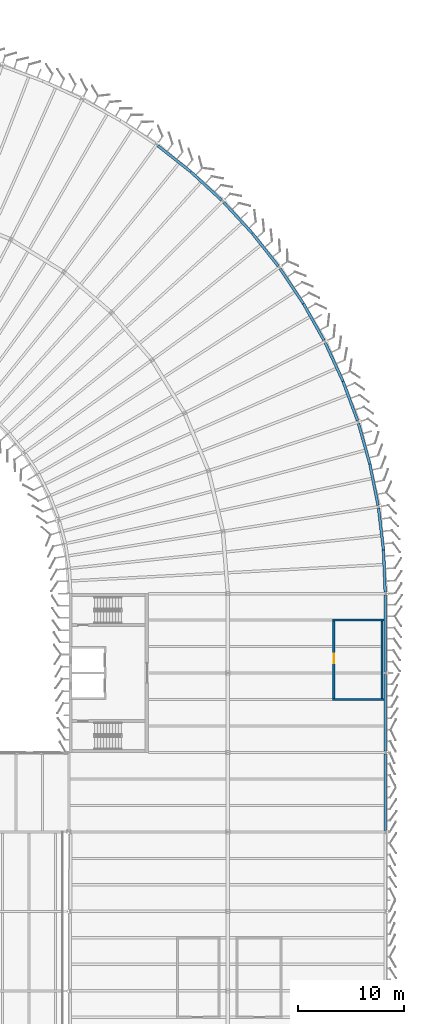
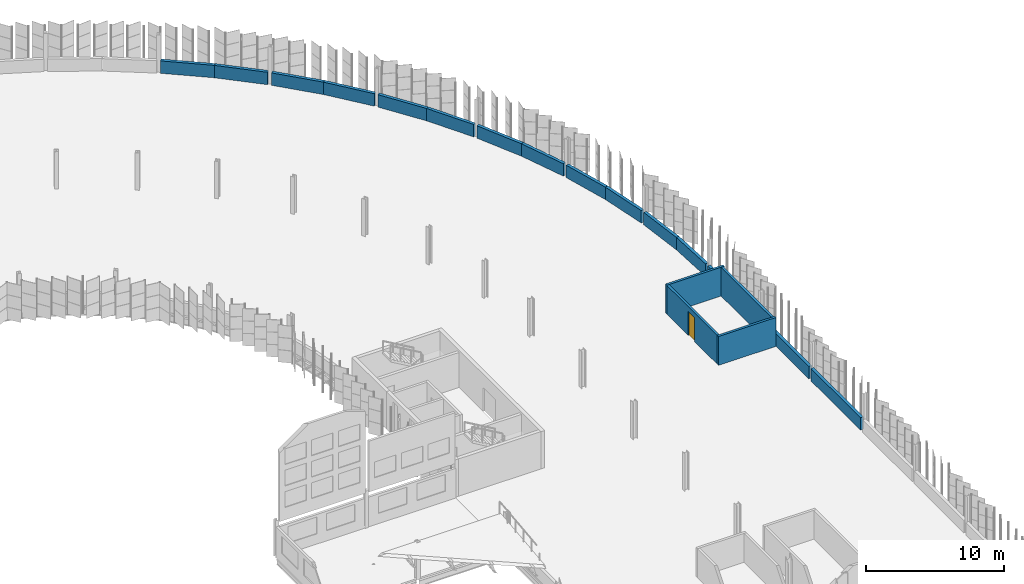
# One storey, part 64 of 199: 19 walls, 1 door, 1 opening.
"""IFC4 building model written with IfcOpenShell, lengths in metres."""

from ifc_helpers import new_model, si_unit, direction, frame, frame_2d, origin, place, context, subcontext, project, spatial, rectangle, extrude, material, layer, layer_set, type_object, element, fill, save


model = new_model("IFC4")

# Units and contexts
model_context = context("Model", 3, precision=1e-05, world=origin(), true_north=direction((0.0, 1.0)))
body_context = subcontext(model_context, "Body", "Model", "MODEL_VIEW")
ifc_project = project(units=[si_unit("LENGTHUNIT", "METRE"), si_unit("AREAUNIT", "SQUARE_METRE"), si_unit("VOLUMEUNIT", "CUBIC_METRE"), si_unit("PLANEANGLEUNIT", "RADIAN"), si_unit("MASSUNIT", "GRAM", prefix="KILO")], contexts=[model_context])

# Site, building, storey
site_placement = place(None, origin())
site = spatial("IfcSite", under=ifc_project, at=site_placement, CompositionType="ELEMENT")
building_placement = place(site_placement, origin())
building = spatial("IfcBuilding", under=site, at=building_placement, Name="Parallax Yard Mobility Hub", CompositionType="ELEMENT")
storey_placement = place(building_placement, frame((0.0, 0.0, 9.89990234375)))
storey = spatial("IfcBuildingStorey", under=building, at=storey_placement, Name="L03", CompositionType="ELEMENT", Elevation=9.89990234375)

# Walls
ifc_material_1 = material(Name="Concrete fc' 35 MPa", Category="concrete")
ifc_layer_1 = layer(ifc_material_1, 0.25)
ifc_layer_set_1 = layer_set([ifc_layer_1], Name="Deck-edge barrier wall, Concrete fc' 35 MPa precast, 250")
wall_type_1 = type_object("IfcWallType", Name="Deck-edge barrier wall, Concrete fc' 35 MPa precast, 250", PredefinedType="SOLIDWALL", material=ifc_layer_set_1)
for number, where, z_axis, x_axis, name in (
    (1, (224.854248046875, 67.651611328125, 0.0), (0.0, 0.0, 1.0), (0.0, 1.0, 0.0), "Deck-edge barrier wall bay 38 level L03"),
    (2, (224.854248046875, 75.151611328125, 0.0), (0.0, 0.0, 1.0), (0.0, 1.0, 0.0), "Deck-edge barrier wall bay 39 level L03"),
):
    element("IfcWall", number, at=place(storey_placement, frame(where, z_axis=z_axis, x_axis=x_axis)), inside=storey, type_object=wall_type_1, Name=name, PredefinedType="SOLIDWALL", context=body_context, shape_type="SweptSolid", body=[
        extrude(rectangle(XDim=7.19677734375, YDim=0.25, at=frame_2d((3.598388671875, 0.0))), origin(), (0.0, 0.0, 1.0), 1.10009765625),
    ])
wall_1_placement = place(storey_placement, frame((224.854248046875, 82.651611328125, 0.0), z_axis=(0.0, 0.0, 1.0), x_axis=(0.0, 1.0, 0.0)))
element("IfcWall", 3, at=wall_1_placement, inside=storey, type_object=wall_type_1, Name="Deck-edge barrier wall bay 40 level L03", PredefinedType="SOLIDWALL", context=body_context, shape_type="SweptSolid", body=[
    extrude(rectangle(XDim=7.198974609375, YDim=0.25, at=frame_2d((3.599609375, 0.0))), origin(), (0.0, 0.0, 1.0), 1.10009765625),
])
wall_2_placement = place(storey_placement, frame((224.84814453125, 90.147705078125, 0.0), z_axis=(0.0, 0.0, 1.0), x_axis=(-0.040229232484, 0.999190476763, 0.0)))
element("IfcWall", 4, at=wall_2_placement, inside=storey, type_object=wall_type_1, Name="Deck-edge barrier wall bay 41-1 level L03", PredefinedType="SOLIDWALL", context=body_context, shape_type="SweptSolid", body=[
    extrude(rectangle(XDim=3.956787109375, YDim=0.25, at=frame_2d((1.978515625, 0.0))), origin(), (0.0, 0.0, 1.0), 1.10009765625),
])
wall_3_placement = place(storey_placement, frame((224.68798828125, 94.113525390625, 0.0), z_axis=(0.0, 0.0, 1.0), x_axis=(-0.117868253469, 0.993029241676, 0.0)))
element("IfcWall", 5, at=wall_3_placement, inside=storey, type_object=wall_type_1, Name="Deck-edge barrier wall bay 41-2 level L03", PredefinedType="SOLIDWALL", context=body_context, shape_type="SweptSolid", body=[
    extrude(rectangle(XDim=3.958251953125, YDim=0.25, at=frame_2d((1.97900390625, 0.0))), origin(), (0.0, 0.0, 1.0), 1.10009765625),
])
wall_4_placement = place(storey_placement, frame((224.17578125, 98.332275390625, 0.0), z_axis=(0.0, 0.0, 1.0), x_axis=(-0.194763882975, 0.980850156695, 0.0)))
element("IfcWall", 6, at=wall_4_placement, inside=storey, type_object=wall_type_1, Name="Deck-edge barrier wall bay 42-1 level L03", PredefinedType="SOLIDWALL", context=body_context, shape_type="SweptSolid", body=[
    extrude(rectangle(XDim=3.958740234375, YDim=0.25, at=frame_2d((1.9794921875, 0.0))), origin(), (0.0, 0.0, 1.0), 1.10009765625),
])
wall_5_placement = place(storey_placement, frame((223.40185546875, 102.22705078125, 0.0), z_axis=(0.0, 0.0, 1.0), x_axis=(-0.270484941421, 0.962724205816, 0.0)))
element("IfcWall", 7, at=wall_5_placement, inside=storey, type_object=wall_type_1, Name="Deck-edge barrier wall bay 42-2 level L03", PredefinedType="SOLIDWALL", context=body_context, shape_type="SweptSolid", body=[
    extrude(rectangle(XDim=3.960693359375, YDim=0.25, at=frame_2d((1.98046875, 0.0))), origin(), (0.0, 0.0, 1.0), 1.10009765625),
])
wall_6_placement = place(storey_placement, frame((222.240478515625, 106.31689453125, 0.0), z_axis=(0.0, 0.0, 1.0), x_axis=(-0.347063151697, 0.937841761031, 0.0)))
element("IfcWall", 8, at=wall_6_placement, inside=storey, type_object=wall_type_1, Name="Deck-edge barrier wall bay 43-1 level L03", PredefinedType="SOLIDWALL", context=body_context, shape_type="SweptSolid", body=[
    extrude(rectangle(XDim=3.956787109375, YDim=0.25, at=frame_2d((1.978515625, 0.0))), origin(), (0.0, 0.0, 1.0), 1.10009765625),
])
wall_7_placement = place(storey_placement, frame((220.862548828125, 110.039306640625, 0.0), z_axis=(0.0, 0.0, 1.0), x_axis=(-0.418991682378, 0.907990071586, 0.0)))
element("IfcWall", 9, at=wall_7_placement, inside=storey, type_object=wall_type_1, Name="Deck-edge barrier wall bay 43-2 level L03", PredefinedType="SOLIDWALL", context=body_context, shape_type="SweptSolid", body=[
    extrude(rectangle(XDim=3.958251953125, YDim=0.25, at=frame_2d((1.97900390625, 0.0))), origin(), (0.0, 0.0, 1.0), 1.10009765625),
])
wall_8_placement = place(storey_placement, frame((219.072021484375, 113.89306640625, 0.0), z_axis=(0.0, 0.0, 1.0), x_axis=(-0.488347931105, 0.872649012024, 0.0)))
element("IfcWall", 10, at=wall_8_placement, inside=storey, type_object=wall_type_1, Name="Deck-edge barrier wall bay 44-1 level L03", PredefinedType="SOLIDWALL", context=body_context, shape_type="SweptSolid", body=[
    extrude(rectangle(XDim=3.95849609375, YDim=0.25, at=frame_2d((1.979248046875, 0.0))), origin(), (0.0, 0.0, 1.0), 1.10009765625),
])
wall_9_placement = place(storey_placement, frame((217.13232421875, 117.35791015625, 0.0), z_axis=(0.0, 0.0, 1.0), x_axis=(-0.554771389927, 0.83200282747, 0.0)))
element("IfcWall", 11, at=wall_9_placement, inside=storey, type_object=wall_type_1, Name="Deck-edge barrier wall bay 44-2 level L03", PredefinedType="SOLIDWALL", context=body_context, shape_type="SweptSolid", body=[
    extrude(rectangle(XDim=3.956787109375, YDim=0.25, at=frame_2d((1.978515625, 0.0))), origin(), (0.0, 0.0, 1.0), 1.10009765625),
])
wall_10_placement = place(storey_placement, frame((214.766357421875, 120.885498046875, 0.0), z_axis=(0.0, 0.0, 1.0), x_axis=(-0.619842123879, 0.78472653929, 0.0)))
element("IfcWall", 12, at=wall_10_placement, inside=storey, type_object=wall_type_1, Name="Deck-edge barrier wall bay 45-1 level L03", PredefinedType="SOLIDWALL", context=body_context, shape_type="SweptSolid", body=[
    extrude(rectangle(XDim=3.960693359375, YDim=0.25, at=frame_2d((1.98046875, 0.0))), origin(), (0.0, 0.0, 1.0), 1.10009765625),
])
for number, where, z_axis, x_axis, name in (
    (13, (212.30322265625, 124.003173828125, 0.0), (0.0, 0.0, 1.0), (-0.67903284157, 0.734107894025, 0.0), "Deck-edge barrier wall bay 45-2 level L03"),
    (14, (209.4091796875, 127.115234375, 0.0), (0.0, 0.0, 1.0), (-0.734107894025, 0.67903284157, 0.0), "Deck-edge barrier wall bay 46-1 level L03"),
):
    element("IfcWall", number, at=place(storey_placement, frame(where, z_axis=z_axis, x_axis=x_axis)), inside=storey, type_object=wall_type_1, Name=name, PredefinedType="SOLIDWALL", context=body_context, shape_type="SweptSolid", body=[
        extrude(rectangle(XDim=3.95849609375, YDim=0.25, at=frame_2d((1.979248046875, 0.0))), origin(), (0.0, 0.0, 1.0), 1.10009765625),
    ])
wall_11_placement = place(storey_placement, frame((206.49365234375, 129.811279296875, 0.0), z_axis=(0.0, 0.0, 1.0), x_axis=(-0.784694773209, 0.619882337946, 0.0)))
element("IfcWall", 15, at=wall_11_placement, inside=storey, type_object=wall_type_1, Name="Deck-edge barrier wall bay 46-2 level L03", PredefinedType="SOLIDWALL", context=body_context, shape_type="SweptSolid", body=[
    extrude(rectangle(XDim=3.95654296875, YDim=0.25, at=frame_2d((1.978271484375, 0.0))), origin(), (0.0, 0.0, 1.0), 1.10009765625),
])
ifc_material_2 = material(Name="Fire-rated plasterboard partition, two layers each side")
ifc_layer_2 = layer(ifc_material_2, 0.199951171875)
ifc_layer_set_2 = layer_set([ifc_layer_2], Name="Fire-rated partition 200 mm")
wall_type_2 = type_object("IfcWallType", Name="Fire-rated partition 200 mm", PredefinedType="PARTITIONING", material=ifc_layer_set_2)
for number, where, z_axis, x_axis, name in (
    (16, (219.89990234375, 80.0, 0.0), (0.0, 0.0, 1.0), (1.0, 0.0, 0.0), "Partition 15 level L03"),
    (17, (219.89990234375, 87.5, 0.0), (0.0, 0.0, 1.0), (1.0, 0.0, 0.0), "Partition 16 level L03"),
):
    element("IfcWall", number, at=place(storey_placement, frame(where, z_axis=z_axis, x_axis=x_axis)), inside=storey, type_object=wall_type_2, Name=name, PredefinedType="PARTITIONING", context=body_context, shape_type="SweptSolid", body=[
        extrude(rectangle(XDim=4.829345703125, YDim=0.199951171875, at=frame_2d((2.41455078125, 0.0))), origin(), (0.0, 0.0, 1.0), 2.55810546875),
    ])

# Wall, opening, door
wall_12_placement = place(storey_placement, frame((220.0, 80.10009765625, 0.0), z_axis=(0.0, 0.0, 1.0), x_axis=(0.0, 1.0, 0.0)))
wall_12 = element("IfcWall", 18, at=wall_12_placement, inside=storey, type_object=wall_type_2, Name="Partition 47 level L03", PredefinedType="PARTITIONING", context=body_context, shape_type="SweptSolid", body=[
    extrude(rectangle(XDim=7.2998046875, YDim=0.199951171875, at=frame_2d((3.64990234375, 0.0))), origin(), (0.0, 0.0, 1.0), 2.548095703125),
])
opening_placement = place(wall_12_placement, frame((3.300048828125, 0.0, 0.0)))
opening = element("IfcOpeningElement", 19, at=opening_placement, cuts=wall_12, Name="Opening L03-D211", PredefinedType="OPENING", context=body_context, shape_type="SweptSolid", body=[
    extrude(rectangle(XDim=0.89990234375, YDim=2.10009765625, at=frame_2d((0.449951171875, 1.050048828125))), frame((0.0, 0.10986328125, 0.0), z_axis=(0.0, -1.0, 0.0), x_axis=(1.0, 0.0, 0.0)), (0.0, 0.0, 1.0), 0.219970703125),
])
ifc_material_3 = material(Name="Hollow metal fire door leaf with intumescent seals")
door_type = type_object("IfcDoorType", Name="Fire door 900 mm FD60", OperationType="NOTDEFINED", PredefinedType="DOOR", material=ifc_material_3)
door_placement = place(opening_placement, origin())
door = element("IfcDoor", 20, at=door_placement, inside=storey, type_object=door_type, Name="Door L03-D211 Refuse Room", OperationType="SINGLE_SWING_RIGHT", OverallHeight=2.10009765625, OverallWidth=0.89990234375, PredefinedType="DOOR", context=body_context, shape_type="SweptSolid", body=[
    extrude(rectangle(XDim=0.89990234375, YDim=2.10009765625, at=frame_2d((0.449951171875, 1.050048828125))), frame((0.0, 0.02490234375, 0.0), z_axis=(0.0, -1.0, 0.0), x_axis=(1.0, 0.0, 0.0)), (0.0, 0.0, 1.0), 0.050048828125),
])
fill(opening, door)

# Wall
wall_13_placement = place(storey_placement, frame((224.550048828125, 80.10009765625, 0.0), z_axis=(0.0, 0.0, 1.0), x_axis=(0.0, 1.0, 0.0)))
element("IfcWall", 21, at=wall_13_placement, inside=storey, type_object=wall_type_2, Name="Partition 49 level L03", PredefinedType="PARTITIONING", context=body_context, shape_type="SweptSolid", body=[
    extrude(rectangle(XDim=7.2998046875, YDim=0.199951171875, at=frame_2d((3.64990234375, 0.0))), origin(), (0.0, 0.0, 1.0), 2.548095703125),
])

save(model, "model.ifc")
